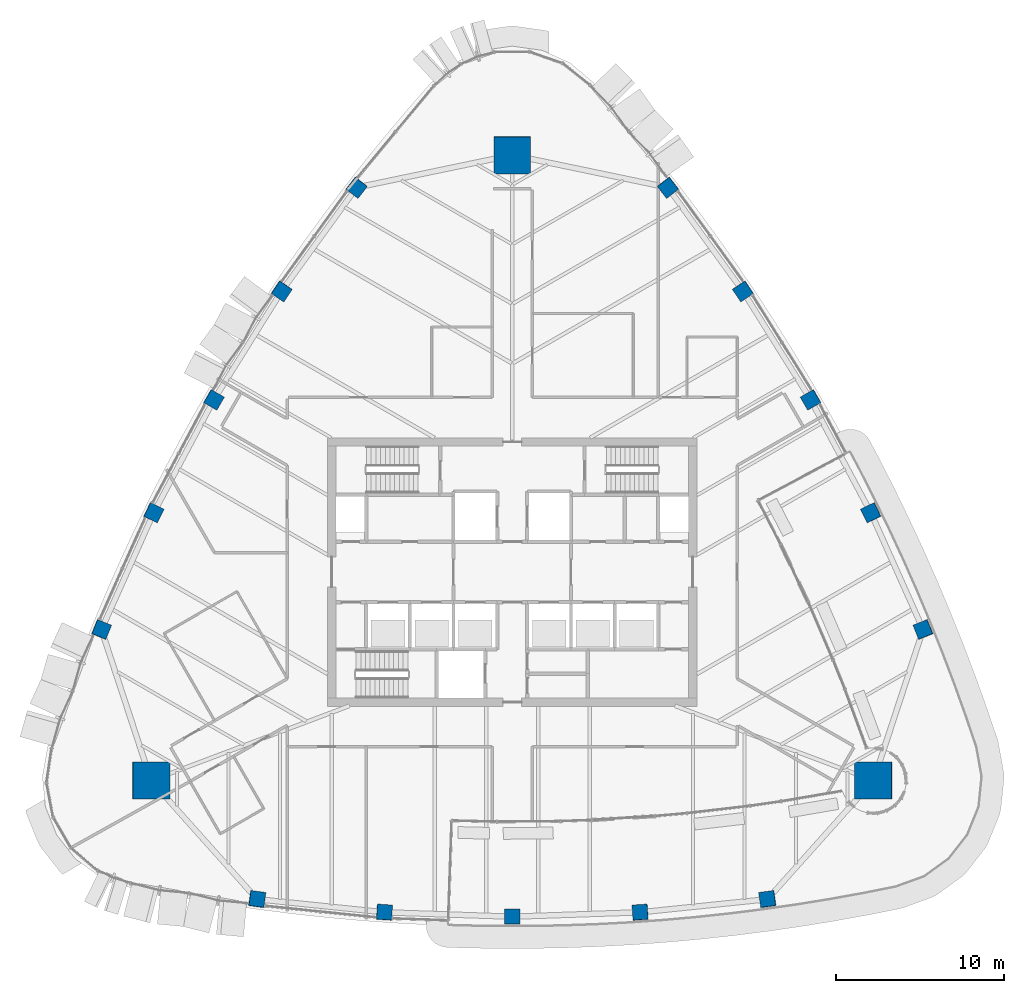
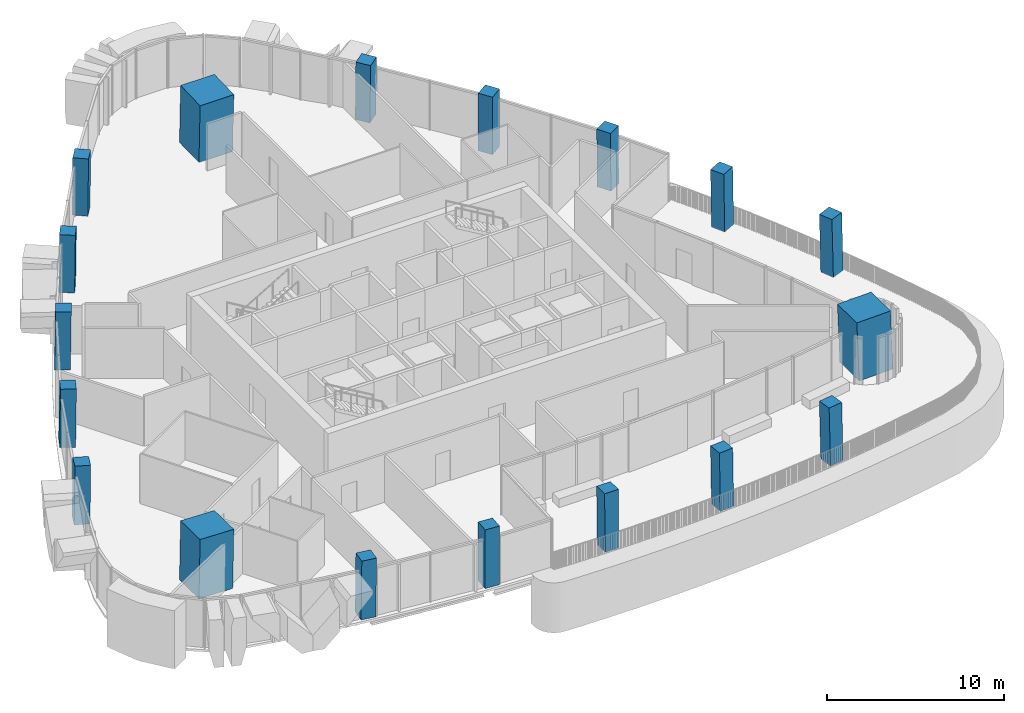
# One storey, part 1 of 21: 18 columns.
"""IFC4 building model written with IfcOpenShell, lengths in metres."""

from ifc_helpers import new_model, si_unit, direction, frame, origin, origin_2d, place, context, subcontext, project, spatial, rectangle, extrude, material, material_profile, profile_set, type_object, element, save


model = new_model("IFC4")

# Units and contexts
model_context = context("Model", 3, precision=1e-05, world=origin(), true_north=direction((0.0, 1.0)))
body_context = subcontext(model_context, "Body", "Model", "MODEL_VIEW")
ifc_project = project(units=[si_unit("LENGTHUNIT", "METRE"), si_unit("AREAUNIT", "SQUARE_METRE"), si_unit("VOLUMEUNIT", "CUBIC_METRE"), si_unit("PLANEANGLEUNIT", "RADIAN"), si_unit("MASSUNIT", "GRAM", prefix="KILO")], contexts=[model_context])

# Site, building, storey
site_placement = place(None, origin())
site = spatial("IfcSite", under=ifc_project, at=site_placement, CompositionType="ELEMENT")
building_placement = place(site_placement, origin())
building = spatial("IfcBuilding", under=site, at=building_placement, Name="Sierra Prisma Convention Tower", CompositionType="ELEMENT")
storey_placement = place(building_placement, frame((0.0, 0.0, 259.0)))
storey = spatial("IfcBuildingStorey", under=building, at=storey_placement, Name="L58", CompositionType="ELEMENT", Elevation=259.0)

# Columns
ifc_material_1 = material(Name="Concrete C50/60", Category="concrete")
ifc_material_profile_1 = material_profile(ifc_material_1, rectangle(XDim=2.199951171875, YDim=2.199951171875, at=origin_2d()), Name="Mega column RC 2200 C50/60")
ifc_profile_set_1 = profile_set([ifc_material_profile_1], Name="Concrete C50/60")
column_type_1 = type_object("IfcColumnType", Name="Mega column RC 2200 C50/60", PredefinedType="COLUMN", material=ifc_profile_set_1)
for number, where, z_axis, x_axis, name in (
    (1, (21.51171875, -12.419921875, 0.0), (-0.027817676907, 0.016043967164, 0.999484250986), (0.999613013546, 0.000446478676, 0.027814093645), "Mega column SE L58"),
    (2, (0.0, 24.839599609375, 0.0), (0.0, -0.032087959942, 0.999485048826), (1.0, 0.0, 0.0), "Mega column N L58"),
    (3, (-21.51171875, -12.419921875, 0.0), (0.027817676907, 0.016043967164, 0.999484250986), (0.999613013546, -0.000446478676, -0.027814093645), "Mega column SW L58"),
):
    element("IfcColumn", number, at=place(storey_placement, frame(where, z_axis=z_axis, x_axis=x_axis)), inside=storey, type_object=column_type_1, Name=name, PredefinedType="COLUMN", context=body_context, shape_type="SweptSolid", body=[
        extrude(rectangle(XDim=2.199951171875, YDim=2.199951171875, at=origin_2d()), origin(), (0.0, 0.0, 1.0), 4.001953125),
    ])
ifc_material_2 = material(Name="Concrete C50/60", Category="concrete")
ifc_material_profile_2 = material_profile(ifc_material_2, rectangle(XDim=0.89990234375, YDim=0.89990234375, at=origin_2d()), Name="Perimeter column RC 900 C50/60")
ifc_profile_set_2 = profile_set([ifc_material_profile_2], Name="Concrete C50/60")
column_type_2 = type_object("IfcColumnType", Name="Perimeter column RC 900 C50/60", PredefinedType="COLUMN", material=ifc_profile_set_2)
column_1_placement = place(storey_placement, frame((-15.200927734375, -19.48046875, 0.0), z_axis=(0.017452445502, 0.010434853779, 0.999793241612), x_axis=(-0.990486490869, 0.136692598023, 0.015863324104)))
element("IfcColumn", 4, at=column_1_placement, inside=storey, type_object=column_type_2, Name="Perimeter column S-1 L58", PredefinedType="COLUMN", context=body_context, shape_type="SweptSolid", body=[
    extrude(rectangle(XDim=0.89990234375, YDim=0.89990234375, at=origin_2d()), origin(), (0.0, 0.0, 1.0), 4.000732421875),
])
column_2_placement = place(storey_placement, frame((-7.618408203125, -20.261962890625, 0.0), z_axis=(0.008788174922, 0.01116830563, 0.999899013366), x_axis=(-0.997618130279, 0.068512919133, 0.008002877598)))
element("IfcColumn", 5, at=column_2_placement, inside=storey, type_object=column_type_2, Name="Perimeter column S-2 L58", PredefinedType="COLUMN", context=body_context, shape_type="SweptSolid", body=[
    extrude(rectangle(XDim=0.89990234375, YDim=0.89990234375, at=origin_2d()), origin(), (0.0, 0.0, 1.0), 4.00048828125),
])
column_3_placement = place(storey_placement, frame((0.0, -20.52294921875, 0.0), z_axis=(0.0, 0.011473854038, 0.99993417317), x_axis=(1.0, 0.0, 0.0)))
element("IfcColumn", 6, at=column_3_placement, inside=storey, type_object=column_type_2, Name="Perimeter column S-3 L58", PredefinedType="COLUMN", context=body_context, shape_type="SweptSolid", body=[
    extrude(rectangle(XDim=0.89990234375, YDim=0.89990234375, at=origin_2d()), origin(), (0.0, 0.0, 1.0), 4.000244140625),
])
column_4_placement = place(storey_placement, frame((7.618408203125, -20.261962890625, 0.0), z_axis=(-0.008788174922, 0.01116830563, 0.999899013366), x_axis=(0.997618130279, 0.068512919133, 0.008002877598)))
element("IfcColumn", 7, at=column_4_placement, inside=storey, type_object=column_type_2, Name="Perimeter column S-4 L58", PredefinedType="COLUMN", context=body_context, shape_type="SweptSolid", body=[
    extrude(rectangle(XDim=0.89990234375, YDim=0.89990234375, at=origin_2d()), origin(), (0.0, 0.0, 1.0), 4.00048828125),
])
for number, where, z_axis, x_axis, name in (
    (8, (15.200927734375, -19.48046875, 0.0), (-0.017452445502, 0.010434853779, 0.999793241612), (0.990486490869, 0.136692598023, 0.015863324104), "Perimeter column S-5 L58"),
    (9, (24.470947265625, -3.42431640625, 0.0), (-0.017757551143, 0.009946669541, 0.999792845115), (-0.377029787594, 0.926064480145, -0.015909678861), "Perimeter column NE-1 L58"),
):
    element("IfcColumn", number, at=place(storey_placement, frame(where, z_axis=z_axis, x_axis=x_axis)), inside=storey, type_object=column_type_2, Name=name, PredefinedType="COLUMN", context=body_context, shape_type="SweptSolid", body=[
        extrude(rectangle(XDim=0.89990234375, YDim=0.89990234375, at=origin_2d()), origin(), (0.0, 0.0, 1.0), 4.000732421875),
    ])
column_5_placement = place(storey_placement, frame((21.3564453125, 3.533203125, 0.0), z_axis=(-0.014036674448, 0.002013957638, 0.999899452818), x_axis=(-0.439532201194, 0.89819139108, -0.007979292125)))
element("IfcColumn", 10, at=column_5_placement, inside=storey, type_object=column_type_2, Name="Perimeter column NE-2 L58", PredefinedType="COLUMN", context=body_context, shape_type="SweptSolid", body=[
    extrude(rectangle(XDim=0.89990234375, YDim=0.89990234375, at=origin_2d()), origin(), (0.0, 0.0, 1.0), 4.00048828125),
])
column_6_placement = place(storey_placement, frame((17.773193359375, 10.261474609375, 0.0), z_axis=(-0.009887049298, -0.00573692984, 0.999934664812), x_axis=(-0.499975560967, 0.866039512843, 2.5126546e-05)))
element("IfcColumn", 11, at=column_6_placement, inside=storey, type_object=column_type_2, Name="Perimeter column NE-3 L58", PredefinedType="COLUMN", context=body_context, shape_type="SweptSolid", body=[
    extrude(rectangle(XDim=0.89990234375, YDim=0.89990234375, at=origin_2d()), origin(), (0.0, 0.0, 1.0), 4.000244140625),
])
column_7_placement = place(storey_placement, frame((13.73828125, 16.728515625, 0.0), z_axis=(-0.005309522349, -0.013182262383, 0.999899013366), x_axis=(-0.558073282327, 0.829753336419, 0.007975729071)))
element("IfcColumn", 12, at=column_7_placement, inside=storey, type_object=column_type_2, Name="Perimeter column NE-4 L58", PredefinedType="COLUMN", context=body_context, shape_type="SweptSolid", body=[
    extrude(rectangle(XDim=0.89990234375, YDim=0.89990234375, at=origin_2d()), origin(), (0.0, 0.0, 1.0), 4.00048828125),
])
for number, where, z_axis, x_axis, name in (
    (13, (9.27001953125, 22.904541015625, 0.0), (-0.000244090207, -0.020320509722, 0.999793487329), (-0.613548105962, 0.789497322762, 0.015896509769), "Perimeter column NE-5 L58"),
    (14, (-9.27001953125, 22.904541015625, 0.0), (0.000244090207, -0.020320509722, 0.999793487329), (0.613548105962, 0.789497322762, 0.015896509769), "Perimeter column NW-1 L58"),
):
    element("IfcColumn", number, at=place(storey_placement, frame(where, z_axis=z_axis, x_axis=x_axis)), inside=storey, type_object=column_type_2, Name=name, PredefinedType="COLUMN", context=body_context, shape_type="SweptSolid", body=[
        extrude(rectangle(XDim=0.89990234375, YDim=0.89990234375, at=origin_2d()), origin(), (0.0, 0.0, 1.0), 4.000732421875),
    ])
column_8_placement = place(storey_placement, frame((-13.73828125, 16.728515625, 0.0), z_axis=(0.005309522349, -0.013182262383, 0.999899013366), x_axis=(0.558073282327, 0.829753336419, 0.007975729071)))
element("IfcColumn", 15, at=column_8_placement, inside=storey, type_object=column_type_2, Name="Perimeter column NW-2 L58", PredefinedType="COLUMN", context=body_context, shape_type="SweptSolid", body=[
    extrude(rectangle(XDim=0.89990234375, YDim=0.89990234375, at=origin_2d()), origin(), (0.0, 0.0, 1.0), 4.00048828125),
])
column_9_placement = place(storey_placement, frame((-17.773193359375, 10.261474609375, 0.0), z_axis=(0.009887049298, -0.00573692984, 0.999934664812), x_axis=(0.499975560967, 0.866039512843, 2.5126546e-05)))
element("IfcColumn", 16, at=column_9_placement, inside=storey, type_object=column_type_2, Name="Perimeter column NW-3 L58", PredefinedType="COLUMN", context=body_context, shape_type="SweptSolid", body=[
    extrude(rectangle(XDim=0.89990234375, YDim=0.89990234375, at=origin_2d()), origin(), (0.0, 0.0, 1.0), 4.000244140625),
])
column_10_placement = place(storey_placement, frame((-21.3564453125, 3.533203125, 0.0), z_axis=(0.014036674448, 0.002013957638, 0.999899452818), x_axis=(0.439532201194, 0.89819139108, -0.007979292125)))
element("IfcColumn", 17, at=column_10_placement, inside=storey, type_object=column_type_2, Name="Perimeter column NW-4 L58", PredefinedType="COLUMN", context=body_context, shape_type="SweptSolid", body=[
    extrude(rectangle(XDim=0.89990234375, YDim=0.89990234375, at=origin_2d()), origin(), (0.0, 0.0, 1.0), 4.00048828125),
])
column_11_placement = place(storey_placement, frame((-24.470947265625, -3.42431640625, 0.0), z_axis=(0.017757551143, 0.009946669541, 0.999792845115), x_axis=(0.377029787594, 0.926064480145, -0.015909678861)))
element("IfcColumn", 18, at=column_11_placement, inside=storey, type_object=column_type_2, Name="Perimeter column NW-5 L58", PredefinedType="COLUMN", context=body_context, shape_type="SweptSolid", body=[
    extrude(rectangle(XDim=0.89990234375, YDim=0.89990234375, at=origin_2d()), origin(), (0.0, 0.0, 1.0), 4.000732421875),
])

save(model, "model.ifc")
